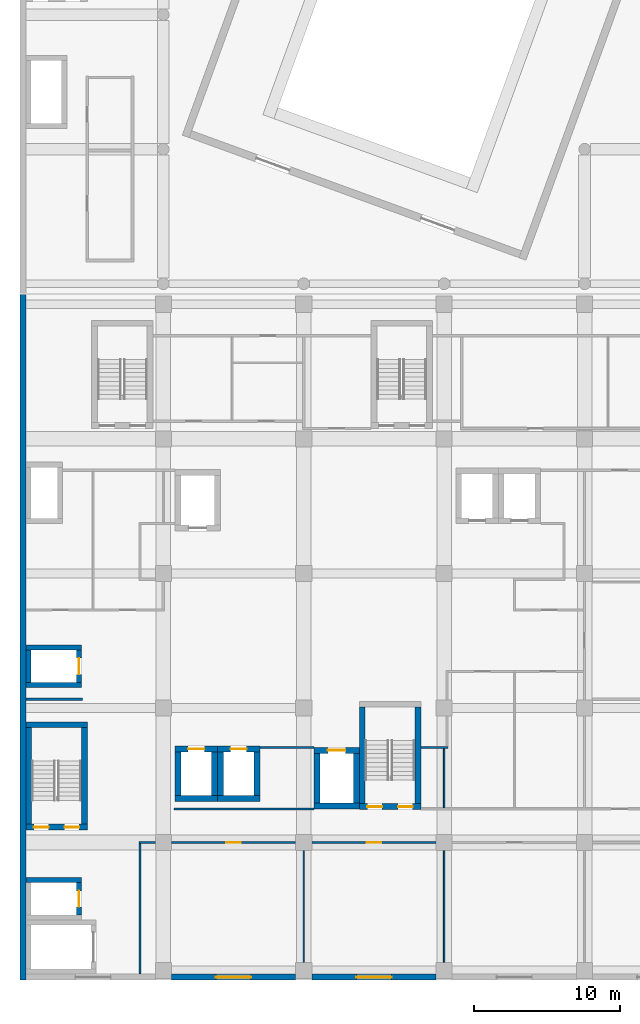
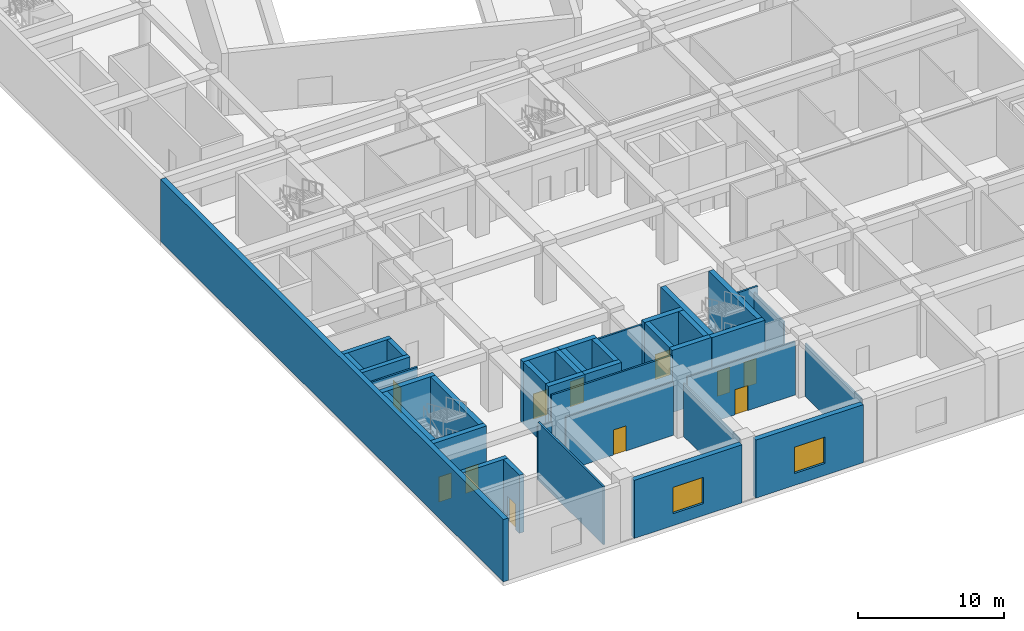
# One storey, part 8 of 31: 39 walls, 11 doors, 2 windows, 13 openings.
"""IFC4 building model written with IfcOpenShell, lengths in metres."""

from ifc_helpers import new_model, si_unit, direction, frame, frame_2d, origin, place, context, subcontext, project, spatial, rectangle, extrude, material, layer, layer_set, layer_usage, type_object, element, fill, save


model = new_model("IFC4")

# Units and contexts
model_context = context("Model", 3, precision=1e-05, world=origin(), true_north=direction((0.0, 1.0)))
body_context = subcontext(model_context, "Body", "Model", "MODEL_VIEW")
ifc_project = project(units=[si_unit("LENGTHUNIT", "METRE"), si_unit("AREAUNIT", "SQUARE_METRE"), si_unit("VOLUMEUNIT", "CUBIC_METRE"), si_unit("PLANEANGLEUNIT", "RADIAN"), si_unit("MASSUNIT", "GRAM", prefix="KILO")], contexts=[model_context])

# Site, building, storey
site_placement = place(None, origin())
site = spatial("IfcSite", under=ifc_project, at=site_placement, CompositionType="ELEMENT")
building_placement = place(site_placement, origin())
building = spatial("IfcBuilding", under=site, at=building_placement, Name="Nzadi Deep Aquarium and Research Tower", CompositionType="ELEMENT")
storey_placement = place(building_placement, frame((0.0, 0.0, 26.699951171875)))
storey = spatial("IfcBuildingStorey", under=building, at=storey_placement, Name="L04", CompositionType="ELEMENT", Elevation=26.699951171875)

# Walls
ifc_material_1 = material(Name="Blockwork masonry", Category="masonry")
ifc_layer_1 = layer(ifc_material_1, 0.10009765625)
ifc_layer_set_1 = layer_set([ifc_layer_1], Name="Blockwork masonry")
wall_type_1 = type_object("IfcWallType", Name="Partition 100 EI 30, 4.45 m high", PredefinedType="PARTITIONING", material=ifc_layer_set_1)
for number, where, z_axis, x_axis, name in (
    (1, (19.199951171875, 1.0, 0.0), (0.0, 0.0, 1.0), (0.0, 1.0, 0.0), "W-Z1-L04-P021"),
    (2, (28.800048828125, 1.0, 0.0), (0.0, 0.0, 1.0), (0.0, 1.0, 0.0), "W-Z1-L04-P027"),
):
    element("IfcWall", number, at=place(storey_placement, frame(where, z_axis=z_axis, x_axis=x_axis)), inside=storey, type_object=wall_type_1, Name=name, PredefinedType="PARTITIONING", context=body_context, shape_type="SweptSolid", body=[
        extrude(rectangle(XDim=7.64990234375, YDim=0.10009765625, at=frame_2d((3.824951171875, 0.0))), origin(), (0.0, 0.0, 1.0), 4.449951171875),
    ])
wall_1_placement = place(storey_placement, frame((28.800048828125, 11.574951171875, 0.0), z_axis=(0.0, 0.0, 1.0), x_axis=(0.0, 1.0, 0.0)))
element("IfcWall", 3, at=wall_1_placement, inside=storey, type_object=wall_type_1, Name="W-Z1-L04-P028", PredefinedType="PARTITIONING", context=body_context, shape_type="SweptSolid", body=[
    extrude(rectangle(XDim=4.050048828125, YDim=0.10009765625, at=frame_2d((2.02490234375, 0.0))), origin(), (0.0, 0.0, 1.0), 4.449951171875),
])
ifc_material_2 = material(Name="Blockwork masonry", Category="masonry")
ifc_layer_2 = layer(ifc_material_2, 0.14990234375)
ifc_layer_set_2 = layer_set([ifc_layer_2], Name="Blockwork masonry")
wall_type_2 = type_object("IfcWallType", Name="Partition 150 EI 60", PredefinedType="PARTITIONING", material=ifc_layer_set_2)
wall_2_placement = place(storey_placement, frame((0.2060546875, 19.0, 0.0), z_axis=(0.0, 0.0, 1.0), x_axis=(1.0, 0.0, 0.0)))
element("IfcWall", 4, at=wall_2_placement, inside=storey, type_object=wall_type_2, Name="W-Z1-L04-P001", PredefinedType="PARTITIONING", context=body_context, shape_type="SweptSolid", body=[
    extrude(rectangle(XDim=3.868896484375, YDim=0.14990234375, at=frame_2d((1.9345703125, 0.0))), origin(), (0.0, 0.0, 1.0), 4.85009765625),
])
wall_3_placement = place(storey_placement, frame((8.0, 0.2060546875, 0.0), z_axis=(0.0, 0.0, 1.0), x_axis=(0.0, 1.0, 0.0)))
element("IfcWall", 5, at=wall_3_placement, inside=storey, type_object=wall_type_2, Name="W-Z1-L04-P005", PredefinedType="PARTITIONING", context=body_context, shape_type="SweptSolid", body=[
    extrude(rectangle(XDim=8.9189453125, YDim=0.14990234375, at=frame_2d((4.45947265625, 0.0))), origin(), (0.0, 0.0, 1.0), 4.85009765625),
])
wall_4_placement = place(storey_placement, frame((10.324951171875, 11.5, 0.0), z_axis=(0.0, 0.0, 1.0), x_axis=(1.0, 0.0, 0.0)))
element("IfcWall", 6, at=wall_4_placement, inside=storey, type_object=wall_type_2, Name="W-Z1-L04-P015", PredefinedType="PARTITIONING", context=body_context, shape_type="SweptSolid", body=[
    extrude(rectangle(XDim=9.569091796875, YDim=0.14990234375, at=frame_2d((4.78466796875, 0.0))), origin(), (0.0, 0.0, 1.0), 4.85009765625),
])
wall_5_placement = place(storey_placement, frame((16.2060546875, 15.699951171875, 0.0), z_axis=(0.0, 0.0, 1.0), x_axis=(1.0, 0.0, 0.0)))
element("IfcWall", 7, at=wall_5_placement, inside=storey, type_object=wall_type_2, Name="W-Z1-L04-P018", PredefinedType="PARTITIONING", context=body_context, shape_type="SweptSolid", body=[
    extrude(rectangle(XDim=3.68798828125, YDim=0.14990234375, at=frame_2d((1.843994140625, 0.0))), origin(), (0.0, 0.0, 1.0), 4.85009765625),
])
wall_6_placement = place(storey_placement, frame((27.2060546875, 15.699951171875, 0.0), z_axis=(0.0, 0.0, 1.0), x_axis=(1.0, 0.0, 0.0)))
element("IfcWall", 8, at=wall_6_placement, inside=storey, type_object=wall_type_2, Name="W-Z1-L04-P024", PredefinedType="PARTITIONING", context=body_context, shape_type="SweptSolid", body=[
    extrude(rectangle(XDim=1.868896484375, YDim=0.14990234375, at=frame_2d((0.9345703125, 0.0))), origin(), (0.0, 0.0, 1.0), 4.85009765625),
])
ifc_material_3 = material(Name="Blockwork masonry", Category="masonry")
ifc_layer_3 = layer(ifc_material_3, 0.14990234375)
ifc_layer_set_3 = layer_set([ifc_layer_3], Name="Blockwork masonry")
wall_type_3 = type_object("IfcWallType", Name="Partition 150 EI 60, 4.45 m high", PredefinedType="PARTITIONING", material=ifc_layer_set_3)
wall_7_placement = place(storey_placement, frame((7.925048828125, 9.199951171875, 0.0), z_axis=(0.0, 0.0, 1.0), x_axis=(1.0, 0.0, 0.0)))
element("IfcWall", 9, at=wall_7_placement, inside=storey, type_object=wall_type_3, Name="W-Z1-L04-P006", PredefinedType="PARTITIONING", context=body_context, shape_type="SweptSolid", body=[
    extrude(rectangle(XDim=1.125, YDim=0.14990234375, at=frame_2d((0.5625, 0.0))), origin(), (0.0, 0.0, 1.0), 4.449951171875),
])

# Wall, opening, door
wall_8_placement = place(storey_placement, frame((10.14990234375, 9.199951171875, 0.0), z_axis=(0.0, 0.0, 1.0), x_axis=(1.0, 0.0, 0.0)))
wall_8 = element("IfcWall", 10, at=wall_8_placement, inside=storey, type_object=wall_type_3, Name="W-Z1-L04-P014", PredefinedType="PARTITIONING", context=body_context, shape_type="SweptSolid", body=[
    extrude(rectangle(XDim=8.5, YDim=0.14990234375, at=frame_2d((4.25, 0.0))), origin(), (0.0, 0.0, 1.0), 4.449951171875),
])
opening_1_placement = place(wall_8_placement, frame((3.75, 0.0, 0.0)))
opening_1 = element("IfcOpeningElement", 11, at=opening_1_placement, cuts=wall_8, Name="Opening D051013", PredefinedType="OPENING", context=body_context, shape_type="SweptSolid", body=[
    extrude(rectangle(XDim=1.0, YDim=2.10009765625, at=frame_2d((0.5, 1.050048828125))), frame((0.0, 0.0849609375, 0.0), z_axis=(0.0, -1.0, 0.0), x_axis=(1.0, 0.0, 0.0)), (0.0, 0.0, 1.0), 0.169921875),
])
ifc_material_4 = material(Name="Fire-rated steel door", Category="steel")
ifc_layer_4 = layer(ifc_material_4, 0.050048828125)
ifc_layer_set_4 = layer_set([ifc_layer_4], Name="Fire-rated steel door")
door_type_1 = type_object("IfcDoorType", Name="Door 1000x2100 EI 60 single", OperationType="SINGLE_SWING_LEFT", PredefinedType="DOOR", material=ifc_layer_set_4)
door_1_placement = place(opening_1_placement, origin())
door_1 = element("IfcDoor", 12, at=door_1_placement, inside=storey, type_object=door_type_1, Name="D051013", OperationType="SINGLE_SWING_RIGHT", OverallHeight=2.10009765625, OverallWidth=1.0, PredefinedType="DOOR", context=body_context, shape_type="SweptSolid", body=[
    extrude(rectangle(XDim=1.0, YDim=2.10009765625, at=frame_2d((0.5, 1.050048828125))), frame((0.0, 0.02490234375, 0.0), z_axis=(0.0, -1.0, 0.0), x_axis=(1.0, 0.0, 0.0)), (0.0, 0.0, 1.0), 0.050048828125),
])
fill(opening_1, door_1)

wall_9_placement = place(storey_placement, frame((19.75, 9.199951171875, 0.0), z_axis=(0.0, 0.0, 1.0), x_axis=(1.0, 0.0, 0.0)))
wall_9 = element("IfcWall", 13, at=wall_9_placement, inside=storey, type_object=wall_type_3, Name="W-Z1-L04-P022", PredefinedType="PARTITIONING", context=body_context, shape_type="SweptSolid", body=[
    extrude(rectangle(XDim=8.5, YDim=0.14990234375, at=frame_2d((4.25, 0.0))), origin(), (0.0, 0.0, 1.0), 4.449951171875),
])
opening_2_placement = place(wall_9_placement, frame((3.75, 0.0, 0.0)))
opening_2 = element("IfcOpeningElement", 14, at=opening_2_placement, cuts=wall_9, Name="Opening D051014", PredefinedType="OPENING", context=body_context, shape_type="SweptSolid", body=[
    extrude(rectangle(XDim=1.0, YDim=2.10009765625, at=frame_2d((0.5, 1.050048828125))), frame((0.0, 0.0849609375, 0.0), z_axis=(0.0, -1.0, 0.0), x_axis=(1.0, 0.0, 0.0)), (0.0, 0.0, 1.0), 0.169921875),
])
door_2_placement = place(opening_2_placement, origin())
door_2 = element("IfcDoor", 15, at=door_2_placement, inside=storey, type_object=door_type_1, Name="D051014", OperationType="SINGLE_SWING_RIGHT", OverallHeight=2.10009765625, OverallWidth=1.0, PredefinedType="DOOR", context=body_context, shape_type="SweptSolid", body=[
    extrude(rectangle(XDim=1.0, YDim=2.10009765625, at=frame_2d((0.5, 1.050048828125))), frame((0.0, 0.02490234375, 0.0), z_axis=(0.0, -1.0, 0.0), x_axis=(1.0, 0.0, 0.0)), (0.0, 0.0, 1.0), 0.050048828125),
])
fill(opening_2, door_2)

# Walls
ifc_material_5 = material(Name="Concrete C35/45", Category="concrete")
ifc_layer_5 = layer(ifc_material_5, 0.35009765625)
ifc_layer_set_5 = layer_set([ifc_layer_5], Name="Concrete C35/45")
wall_type_4 = type_object("IfcWallType", Name="RC core wall 350", PredefinedType="SHEAR", material=ifc_layer_set_5)
for number, where, z_axis, x_axis, name in (
    (16, (0.199951171875, 19.97509765625, 0.0), (0.0, 0.0, 1.0), (1.0, 0.0, 0.0), "W-CORE-PL1-L04-S"),
    (17, (0.199951171875, 22.52490234375, 0.0), (0.0, 0.0, 1.0), (1.0, 0.0, 0.0), "W-CORE-PL1-L04-N"),
):
    element("IfcWall", number, at=place(storey_placement, frame(where, z_axis=z_axis, x_axis=x_axis)), inside=storey, type_object=wall_type_4, Name=name, PredefinedType="SHEAR", context=body_context, shape_type="SweptSolid", body=[
        extrude(rectangle(XDim=3.800048828125, YDim=0.35009765625, at=frame_2d((1.89990234375, 0.0))), origin(), (0.0, 0.0, 1.0), 5.199951171875),
    ])
wall_10_placement = place(storey_placement, frame((0.375, 20.14990234375, 0.0), z_axis=(0.0, 0.0, 1.0), x_axis=(0.0, 1.0, 0.0)))
element("IfcWall", 18, at=wall_10_placement, inside=storey, type_object=wall_type_4, Name="W-CORE-PL1-L04-W", PredefinedType="SHEAR", context=body_context, shape_type="SweptSolid", body=[
    extrude(rectangle(XDim=2.2001953125, YDim=0.35009765625, at=frame_2d((1.10009765625, 0.0))), origin(), (0.0, 0.0, 1.0), 5.199951171875),
])

# Wall, opening, door
wall_11_placement = place(storey_placement, frame((3.824951171875, 20.14990234375, 0.0), z_axis=(0.0, 0.0, 1.0), x_axis=(0.0, 1.0, 0.0)))
wall_11 = element("IfcWall", 19, at=wall_11_placement, inside=storey, type_object=wall_type_4, Name="W-CORE-PL1-L04-E", PredefinedType="SHEAR", context=body_context, shape_type="SweptSolid", body=[
    extrude(rectangle(XDim=2.2001953125, YDim=0.35009765625, at=frame_2d((1.10009765625, 0.0))), origin(), (0.0, 0.0, 1.0), 5.199951171875),
])
opening_3_placement = place(wall_11_placement, frame((0.550048828125, 0.0, 0.0)))
opening_3 = element("IfcOpeningElement", 20, at=opening_3_placement, cuts=wall_11, Name="Opening LD-PL1-L04", PredefinedType="OPENING", context=body_context, shape_type="SweptSolid", body=[
    extrude(rectangle(XDim=1.10009765625, YDim=2.10009765625, at=frame_2d((0.550048828125, 1.050048828125))), frame((0.0, 0.18505859375, 0.0), z_axis=(0.0, -1.0, 0.0), x_axis=(1.0, 0.0, 0.0)), (0.0, 0.0, 1.0), 0.3701171875),
])
ifc_material_6 = material(Name="Stainless steel 1.4301", Category="steel")
door_type_2 = type_object("IfcDoorType", Name="LANDING DOOR 1100x2100", OperationType="DOUBLE_DOOR_SLIDING", PredefinedType="DOOR", material=ifc_material_6)
door_3_placement = place(opening_3_placement, origin())
door_3 = element("IfcDoor", 21, at=door_3_placement, inside=storey, type_object=door_type_2, Name="Landing door PL1 L04", OperationType="DOUBLE_DOOR_SLIDING", OverallHeight=2.10009765625, OverallWidth=1.10009765625, PredefinedType="DOOR", context=body_context, shape_type="SweptSolid", body=[
    extrude(rectangle(XDim=1.10009765625, YDim=2.10009765625, at=frame_2d((0.550048828125, 1.050048828125))), frame((0.0, 0.02490234375, 0.0), z_axis=(0.0, -1.0, 0.0), x_axis=(1.0, 0.0, 0.0)), (0.0, 0.0, 1.0), 0.050048828125),
])
fill(opening_3, door_3)

# Wall
ifc_material_7 = material(Name="Concrete C35/45", Category="concrete")
ifc_layer_6 = layer(ifc_material_7, 0.35009765625)
ifc_layer_set_6 = layer_set([ifc_layer_6], Name="Concrete C35/45")
wall_type_5 = type_object("IfcWallType", Name="RC core wall 350, 4.85 m high", PredefinedType="SHEAR", material=ifc_layer_set_6)
wall_12_placement = place(storey_placement, frame((0.199951171875, 6.625, 0.0), z_axis=(0.0, 0.0, 1.0), x_axis=(1.0, 0.0, 0.0)))
element("IfcWall", 22, at=wall_12_placement, inside=storey, type_object=wall_type_5, Name="W-CORE-EL1-L04-N", PredefinedType="SHEAR", context=body_context, shape_type="SweptSolid", body=[
    extrude(rectangle(XDim=3.800048828125, YDim=0.35009765625, at=frame_2d((1.89990234375, 0.0))), origin(), (0.0, 0.0, 1.0), 4.85009765625),
])

# Wall, opening, door
wall_13_placement = place(storey_placement, frame((3.824951171875, 4.25, 0.0), z_axis=(0.0, 0.0, 1.0), x_axis=(0.0, 1.0, 0.0)))
wall_13 = element("IfcWall", 23, at=wall_13_placement, inside=storey, type_object=wall_type_5, Name="W-CORE-EL1-L04-E", PredefinedType="SHEAR", context=body_context, shape_type="SweptSolid", body=[
    extrude(rectangle(XDim=2.199951171875, YDim=0.35009765625, at=frame_2d((1.10009765625, 0.0))), origin(), (0.0, 0.0, 1.0), 4.85009765625),
])
opening_4_placement = place(wall_13_placement, frame((0.550048828125, 0.0, 0.0)))
opening_4 = element("IfcOpeningElement", 24, at=opening_4_placement, cuts=wall_13, Name="Opening LD-EL1-L04", PredefinedType="OPENING", context=body_context, shape_type="SweptSolid", body=[
    extrude(rectangle(XDim=1.10009765625, YDim=2.10009765625, at=frame_2d((0.550048828125, 1.050048828125))), frame((0.0, 0.18505859375, 0.0), z_axis=(0.0, -1.0, 0.0), x_axis=(1.0, 0.0, 0.0)), (0.0, 0.0, 1.0), 0.3701171875),
])
door_4_placement = place(opening_4_placement, origin())
door_4 = element("IfcDoor", 25, at=door_4_placement, inside=storey, type_object=door_type_2, Name="Landing door EL1 L04", OperationType="DOUBLE_DOOR_SLIDING", OverallHeight=2.10009765625, OverallWidth=1.10009765625, PredefinedType="DOOR", context=body_context, shape_type="SweptSolid", body=[
    extrude(rectangle(XDim=1.10009765625, YDim=2.10009765625, at=frame_2d((0.550048828125, 1.050048828125))), frame((0.0, 0.02490234375, 0.0), z_axis=(0.0, -1.0, 0.0), x_axis=(1.0, 0.0, 0.0)), (0.0, 0.0, 1.0), 0.050048828125),
])
fill(opening_4, door_4)

# Wall, openings, doors
ifc_material_8 = material(Name="Concrete C35/45", Category="concrete")
ifc_layer_7 = layer(ifc_material_8, 0.39990234375)
ifc_layer_set_7 = layer_set([ifc_layer_7], Name="Concrete C35/45")
wall_type_6 = type_object("IfcWallType", Name="RC core wall 400", PredefinedType="SHEAR", material=ifc_layer_set_7)
wall_14_placement = place(storey_placement, frame((0.199951171875, 10.25, 0.0), z_axis=(0.0, 0.0, 1.0), x_axis=(1.0, 0.0, 0.0)))
wall_14 = element("IfcWall", 26, at=wall_14_placement, inside=storey, type_object=wall_type_6, Name="W-CORE-ST-Z1-SW-L04-S", PredefinedType="SHEAR", context=body_context, shape_type="SweptSolid", body=[
    extrude(rectangle(XDim=4.199951171875, YDim=0.39990234375, at=frame_2d((2.10009765625, 0.0))), origin(), (0.0, 0.0, 1.0), 5.199951171875),
])
opening_5_placement = place(wall_14_placement, frame((0.550048828125, 0.0, 0.0)))
opening_5 = element("IfcOpeningElement", 27, at=opening_5_placement, cuts=wall_14, Name="Opening DS-Z1-SW-L04A", PredefinedType="OPENING", context=body_context, shape_type="SweptSolid", body=[
    extrude(rectangle(XDim=1.0, YDim=2.10009765625, at=frame_2d((0.5, 1.050048828125))), frame((0.0, 0.2099609375, 0.0), z_axis=(0.0, -1.0, 0.0), x_axis=(1.0, 0.0, 0.0)), (0.0, 0.0, 1.0), 0.419921875),
])
opening_6_placement = place(wall_14_placement, frame((2.64990234375, 0.0, 0.0)))
opening_6 = element("IfcOpeningElement", 28, at=opening_6_placement, cuts=wall_14, Name="Opening DS-Z1-SW-L04B", PredefinedType="OPENING", context=body_context, shape_type="SweptSolid", body=[
    extrude(rectangle(XDim=1.0, YDim=2.10009765625, at=frame_2d((0.5, 1.050048828125))), frame((0.0, 0.2099609375, 0.0), z_axis=(0.0, -1.0, 0.0), x_axis=(1.0, 0.0, 0.0)), (0.0, 0.0, 1.0), 0.419921875),
])
ifc_material_9 = material(Name="Steel, powder coated", Category="steel")
door_type_3 = type_object("IfcDoorType", Name="STAIR DOOR 1000x2100 EI 60", OperationType="SINGLE_SWING_LEFT", PredefinedType="DOOR", material=ifc_material_9)
door_5_placement = place(opening_5_placement, origin())
door_5 = element("IfcDoor", 29, at=door_5_placement, inside=storey, type_object=door_type_3, Name="Stair door ST-Z1-SW L04 A", OperationType="SINGLE_SWING_RIGHT", OverallHeight=2.10009765625, OverallWidth=1.0, PredefinedType="DOOR", context=body_context, shape_type="SweptSolid", body=[
    extrude(rectangle(XDim=1.0, YDim=2.10009765625, at=frame_2d((0.5, 1.050048828125))), frame((0.0, 0.02490234375, 0.0), z_axis=(0.0, -1.0, 0.0), x_axis=(1.0, 0.0, 0.0)), (0.0, 0.0, 1.0), 0.050048828125),
])
fill(opening_5, door_5)
door_6_placement = place(opening_6_placement, origin())
door_6 = element("IfcDoor", 30, at=door_6_placement, inside=storey, type_object=door_type_3, Name="Stair door ST-Z1-SW L04 B", OperationType="SINGLE_SWING_LEFT", OverallHeight=2.10009765625, OverallWidth=1.0, PredefinedType="DOOR", context=body_context, shape_type="SweptSolid", body=[
    extrude(rectangle(XDim=1.0, YDim=2.10009765625, at=frame_2d((0.5, 1.050048828125))), frame((0.0, 0.02490234375, 0.0), z_axis=(0.0, -1.0, 0.0), x_axis=(1.0, 0.0, 0.0)), (0.0, 0.0, 1.0), 0.050048828125),
])
fill(opening_6, door_6)

# Walls
wall_15_placement = place(storey_placement, frame((0.199951171875, 17.25, 0.0), z_axis=(0.0, 0.0, 1.0), x_axis=(1.0, 0.0, 0.0)))
element("IfcWall", 31, at=wall_15_placement, inside=storey, type_object=wall_type_6, Name="W-CORE-ST-Z1-SW-L04-N", PredefinedType="SHEAR", context=body_context, shape_type="SweptSolid", body=[
    extrude(rectangle(XDim=4.199951171875, YDim=0.39990234375, at=frame_2d((2.10009765625, 0.0))), origin(), (0.0, 0.0, 1.0), 5.199951171875),
])
for number, where, z_axis, x_axis, name in (
    (32, (0.39990234375, 10.449951171875, 0.0), (0.0, 0.0, 1.0), (0.0, 1.0, 0.0), "W-CORE-ST-Z1-SW-L04-W"),
    (33, (4.199951171875, 10.449951171875, 0.0), (0.0, 0.0, 1.0), (0.0, 1.0, 0.0), "W-CORE-ST-Z1-SW-L04-E"),
):
    element("IfcWall", number, at=place(storey_placement, frame(where, z_axis=z_axis, x_axis=x_axis)), inside=storey, type_object=wall_type_6, Name=name, PredefinedType="SHEAR", context=body_context, shape_type="SweptSolid", body=[
        extrude(rectangle(XDim=6.60009765625, YDim=0.39990234375, at=frame_2d((3.300048828125, 0.0))), origin(), (0.0, 0.0, 1.0), 5.199951171875),
    ])

# Wall, openings, doors
wall_16_placement = place(storey_placement, frame((23.0, 11.64990234375, 0.0), z_axis=(0.0, 0.0, 1.0), x_axis=(1.0, 0.0, 0.0)))
wall_16 = element("IfcWall", 34, at=wall_16_placement, inside=storey, type_object=wall_type_6, Name="W-CORE-ST-Z1-SE-L04-S", PredefinedType="SHEAR", context=body_context, shape_type="SweptSolid", body=[
    extrude(rectangle(XDim=4.199951171875, YDim=0.39990234375, at=frame_2d((2.10009765625, 0.0))), origin(), (0.0, 0.0, 1.0), 5.199951171875),
])
opening_7_placement = place(wall_16_placement, frame((0.550048828125, 0.0, 0.0)))
opening_7 = element("IfcOpeningElement", 35, at=opening_7_placement, cuts=wall_16, Name="Opening DS-Z1-SE-L04A", PredefinedType="OPENING", context=body_context, shape_type="SweptSolid", body=[
    extrude(rectangle(XDim=1.0, YDim=2.10009765625, at=frame_2d((0.5, 1.050048828125))), frame((0.0, 0.2099609375, 0.0), z_axis=(0.0, -1.0, 0.0), x_axis=(1.0, 0.0, 0.0)), (0.0, 0.0, 1.0), 0.419921875),
])
opening_8_placement = place(wall_16_placement, frame((2.64990234375, 0.0, 0.0)))
opening_8 = element("IfcOpeningElement", 36, at=opening_8_placement, cuts=wall_16, Name="Opening DS-Z1-SE-L04B", PredefinedType="OPENING", context=body_context, shape_type="SweptSolid", body=[
    extrude(rectangle(XDim=1.0, YDim=2.10009765625, at=frame_2d((0.5, 1.050048828125))), frame((0.0, 0.2099609375, 0.0), z_axis=(0.0, -1.0, 0.0), x_axis=(1.0, 0.0, 0.0)), (0.0, 0.0, 1.0), 0.419921875),
])
door_7_placement = place(opening_7_placement, origin())
door_7 = element("IfcDoor", 37, at=door_7_placement, inside=storey, type_object=door_type_3, Name="Stair door ST-Z1-SE L04 A", OperationType="SINGLE_SWING_RIGHT", OverallHeight=2.10009765625, OverallWidth=1.0, PredefinedType="DOOR", context=body_context, shape_type="SweptSolid", body=[
    extrude(rectangle(XDim=1.0, YDim=2.10009765625, at=frame_2d((0.5, 1.050048828125))), frame((0.0, 0.02490234375, 0.0), z_axis=(0.0, -1.0, 0.0), x_axis=(1.0, 0.0, 0.0)), (0.0, 0.0, 1.0), 0.050048828125),
])
fill(opening_7, door_7)
door_8_placement = place(opening_8_placement, origin())
door_8 = element("IfcDoor", 38, at=door_8_placement, inside=storey, type_object=door_type_3, Name="Stair door ST-Z1-SE L04 B", OperationType="SINGLE_SWING_LEFT", OverallHeight=2.10009765625, OverallWidth=1.0, PredefinedType="DOOR", context=body_context, shape_type="SweptSolid", body=[
    extrude(rectangle(XDim=1.0, YDim=2.10009765625, at=frame_2d((0.5, 1.050048828125))), frame((0.0, 0.02490234375, 0.0), z_axis=(0.0, -1.0, 0.0), x_axis=(1.0, 0.0, 0.0)), (0.0, 0.0, 1.0), 0.050048828125),
])
fill(opening_8, door_8)

# Walls
for number, where, z_axis, x_axis, name in (
    (39, (23.199951171875, 11.85009765625, 0.0), (0.0, 0.0, 1.0), (0.0, 1.0, 0.0), "W-CORE-ST-Z1-SE-L04-W"),
    (40, (27.0, 11.85009765625, 0.0), (0.0, 0.0, 1.0), (0.0, 1.0, 0.0), "W-CORE-ST-Z1-SE-L04-E"),
):
    element("IfcWall", number, at=place(storey_placement, frame(where, z_axis=z_axis, x_axis=x_axis)), inside=storey, type_object=wall_type_6, Name=name, PredefinedType="SHEAR", context=body_context, shape_type="SweptSolid", body=[
        extrude(rectangle(XDim=6.599853515625, YDim=0.39990234375, at=frame_2d((3.2998046875, 0.0))), origin(), (0.0, 0.0, 1.0), 5.199951171875),
    ])
wall_17_placement = place(storey_placement, frame((10.39990234375, 12.199951171875, 0.0), z_axis=(0.0, 0.0, 1.0), x_axis=(1.0, 0.0, 0.0)))
element("IfcWall", 41, at=wall_17_placement, inside=storey, type_object=wall_type_6, Name="W-CORE-TL1-L04-S", PredefinedType="SHEAR", context=body_context, shape_type="SweptSolid", body=[
    extrude(rectangle(XDim=2.900146484375, YDim=0.39990234375, at=frame_2d((1.4501953125, 0.0))), origin(), (0.0, 0.0, 1.0), 5.199951171875),
])

# Wall, opening, door
wall_18_placement = place(storey_placement, frame((10.39990234375, 15.60009765625, 0.0), z_axis=(0.0, 0.0, 1.0), x_axis=(1.0, 0.0, 0.0)))
wall_18 = element("IfcWall", 42, at=wall_18_placement, inside=storey, type_object=wall_type_6, Name="W-CORE-TL1-L04-N", PredefinedType="SHEAR", context=body_context, shape_type="SweptSolid", body=[
    extrude(rectangle(XDim=2.900146484375, YDim=0.39990234375, at=frame_2d((1.4501953125, 0.0))), origin(), (0.0, 0.0, 1.0), 5.199951171875),
])
opening_9_placement = place(wall_18_placement, frame((0.89990234375, 0.0, 0.0)))
opening_9 = element("IfcOpeningElement", 43, at=opening_9_placement, cuts=wall_18, Name="Opening LD-TL1-L04", PredefinedType="OPENING", context=body_context, shape_type="SweptSolid", body=[
    extrude(rectangle(XDim=1.10009765625, YDim=2.10009765625, at=frame_2d((0.550048828125, 1.050048828125))), frame((0.0, 0.2099609375, 0.0), z_axis=(0.0, -1.0, 0.0), x_axis=(1.0, 0.0, 0.0)), (0.0, 0.0, 1.0), 0.419921875),
])
door_9_placement = place(opening_9_placement, origin())
door_9 = element("IfcDoor", 44, at=door_9_placement, inside=storey, type_object=door_type_2, Name="Landing door TL1 L04", OperationType="DOUBLE_DOOR_SLIDING", OverallHeight=2.10009765625, OverallWidth=1.10009765625, PredefinedType="DOOR", context=body_context, shape_type="SweptSolid", body=[
    extrude(rectangle(XDim=1.10009765625, YDim=2.10009765625, at=frame_2d((0.550048828125, 1.050048828125))), frame((0.0, 0.02490234375, 0.0), z_axis=(0.0, -1.0, 0.0), x_axis=(1.0, 0.0, 0.0)), (0.0, 0.0, 1.0), 0.050048828125),
])
fill(opening_9, door_9)

# Walls
for number, where, z_axis, x_axis, name in (
    (45, (10.60009765625, 12.39990234375, 0.0), (0.0, 0.0, 1.0), (0.0, 1.0, 0.0), "W-CORE-TL1-L04-W"),
    (46, (13.10009765625, 12.39990234375, 0.0), (0.0, 0.0, 1.0), (0.0, 1.0, 0.0), "W-CORE-TL1-L04-E"),
):
    element("IfcWall", number, at=place(storey_placement, frame(where, z_axis=z_axis, x_axis=x_axis)), inside=storey, type_object=wall_type_6, Name=name, PredefinedType="SHEAR", context=body_context, shape_type="SweptSolid", body=[
        extrude(rectangle(XDim=3.0, YDim=0.39990234375, at=frame_2d((1.5, 0.0))), origin(), (0.0, 0.0, 1.0), 5.199951171875),
    ])
wall_19_placement = place(storey_placement, frame((13.300048828125, 12.199951171875, 0.0), z_axis=(0.0, 0.0, 1.0), x_axis=(1.0, 0.0, 0.0)))
element("IfcWall", 47, at=wall_19_placement, inside=storey, type_object=wall_type_6, Name="W-CORE-TL2-L04-S", PredefinedType="SHEAR", context=body_context, shape_type="SweptSolid", body=[
    extrude(rectangle(XDim=2.89990234375, YDim=0.39990234375, at=frame_2d((1.449951171875, 0.0))), origin(), (0.0, 0.0, 1.0), 5.199951171875),
])

# Wall, opening, door
wall_20_placement = place(storey_placement, frame((13.300048828125, 15.60009765625, 0.0), z_axis=(0.0, 0.0, 1.0), x_axis=(1.0, 0.0, 0.0)))
wall_20 = element("IfcWall", 48, at=wall_20_placement, inside=storey, type_object=wall_type_6, Name="W-CORE-TL2-L04-N", PredefinedType="SHEAR", context=body_context, shape_type="SweptSolid", body=[
    extrude(rectangle(XDim=2.89990234375, YDim=0.39990234375, at=frame_2d((1.449951171875, 0.0))), origin(), (0.0, 0.0, 1.0), 5.199951171875),
])
opening_10_placement = place(wall_20_placement, frame((0.89990234375, 0.0, 0.0)))
opening_10 = element("IfcOpeningElement", 49, at=opening_10_placement, cuts=wall_20, Name="Opening LD-TL2-L04", PredefinedType="OPENING", context=body_context, shape_type="SweptSolid", body=[
    extrude(rectangle(XDim=1.10009765625, YDim=2.10009765625, at=frame_2d((0.550048828125, 1.050048828125))), frame((0.0, 0.2099609375, 0.0), z_axis=(0.0, -1.0, 0.0), x_axis=(1.0, 0.0, 0.0)), (0.0, 0.0, 1.0), 0.419921875),
])
door_10_placement = place(opening_10_placement, origin())
door_10 = element("IfcDoor", 50, at=door_10_placement, inside=storey, type_object=door_type_2, Name="Landing door TL2 L04", OperationType="DOUBLE_DOOR_SLIDING", OverallHeight=2.10009765625, OverallWidth=1.10009765625, PredefinedType="DOOR", context=body_context, shape_type="SweptSolid", body=[
    extrude(rectangle(XDim=1.10009765625, YDim=2.10009765625, at=frame_2d((0.550048828125, 1.050048828125))), frame((0.0, 0.02490234375, 0.0), z_axis=(0.0, -1.0, 0.0), x_axis=(1.0, 0.0, 0.0)), (0.0, 0.0, 1.0), 0.050048828125),
])
fill(opening_10, door_10)

# Walls
for number, where, z_axis, x_axis, name in (
    (51, (13.5, 12.39990234375, 0.0), (0.0, 0.0, 1.0), (0.0, 1.0, 0.0), "W-CORE-TL2-L04-W"),
    (52, (16.0, 12.39990234375, 0.0), (0.0, 0.0, 1.0), (0.0, 1.0, 0.0), "W-CORE-TL2-L04-E"),
):
    element("IfcWall", number, at=place(storey_placement, frame(where, z_axis=z_axis, x_axis=x_axis)), inside=storey, type_object=wall_type_6, Name=name, PredefinedType="SHEAR", context=body_context, shape_type="SweptSolid", body=[
        extrude(rectangle(XDim=3.0, YDim=0.39990234375, at=frame_2d((1.5, 0.0))), origin(), (0.0, 0.0, 1.0), 5.199951171875),
    ])
wall_21_placement = place(storey_placement, frame((19.89990234375, 11.699951171875, 0.0), z_axis=(0.0, 0.0, 1.0), x_axis=(1.0, 0.0, 0.0)))
element("IfcWall", 53, at=wall_21_placement, inside=storey, type_object=wall_type_6, Name="W-CORE-FL1-L04-S", PredefinedType="SHEAR", context=body_context, shape_type="SweptSolid", body=[
    extrude(rectangle(XDim=3.10009765625, YDim=0.39990234375, at=frame_2d((1.550048828125, 0.0))), origin(), (0.0, 0.0, 1.0), 5.199951171875),
])

# Wall, opening, door
wall_22_placement = place(storey_placement, frame((19.89990234375, 15.5, 0.0), z_axis=(0.0, 0.0, 1.0), x_axis=(1.0, 0.0, 0.0)))
wall_22 = element("IfcWall", 54, at=wall_22_placement, inside=storey, type_object=wall_type_6, Name="W-CORE-FL1-L04-N", PredefinedType="SHEAR", context=body_context, shape_type="SweptSolid", body=[
    extrude(rectangle(XDim=3.10009765625, YDim=0.39990234375, at=frame_2d((1.550048828125, 0.0))), origin(), (0.0, 0.0, 1.0), 5.199951171875),
])
opening_11_placement = place(wall_22_placement, frame((0.949951171875, 0.0, 0.0)))
opening_11 = element("IfcOpeningElement", 55, at=opening_11_placement, cuts=wall_22, Name="Opening LD-FL1-L04", PredefinedType="OPENING", context=body_context, shape_type="SweptSolid", body=[
    extrude(rectangle(XDim=1.199951171875, YDim=2.10009765625, at=frame_2d((0.60009765625, 1.050048828125))), frame((0.0, 0.2099609375, 0.0), z_axis=(0.0, -1.0, 0.0), x_axis=(1.0, 0.0, 0.0)), (0.0, 0.0, 1.0), 0.419921875),
])
ifc_material_10 = material(Name="Stainless steel 1.4301", Category="steel")
door_type_4 = type_object("IfcDoorType", Name="LANDING DOOR 1200x2100", OperationType="DOUBLE_DOOR_SLIDING", PredefinedType="DOOR", material=ifc_material_10)
door_11_placement = place(opening_11_placement, origin())
door_11 = element("IfcDoor", 56, at=door_11_placement, inside=storey, type_object=door_type_4, Name="Landing door FL1 L04", OperationType="DOUBLE_DOOR_SLIDING", OverallHeight=2.10009765625, OverallWidth=1.199951171875, PredefinedType="DOOR", context=body_context, shape_type="SweptSolid", body=[
    extrude(rectangle(XDim=1.199951171875, YDim=2.10009765625, at=frame_2d((0.60009765625, 1.050048828125))), frame((0.0, 0.02490234375, 0.0), z_axis=(0.0, -1.0, 0.0), x_axis=(1.0, 0.0, 0.0)), (0.0, 0.0, 1.0), 0.050048828125),
])
fill(opening_11, door_11)

# Walls
for number, where, z_axis, x_axis, name in (
    (57, (20.10009765625, 11.89990234375, 0.0), (0.0, 0.0, 1.0), (0.0, 1.0, 0.0), "W-CORE-FL1-L04-W"),
    (58, (22.800048828125, 11.89990234375, 0.0), (0.0, 0.0, 1.0), (0.0, 1.0, 0.0), "W-CORE-FL1-L04-E"),
):
    element("IfcWall", number, at=place(storey_placement, frame(where, z_axis=z_axis, x_axis=x_axis)), inside=storey, type_object=wall_type_6, Name=name, PredefinedType="SHEAR", context=body_context, shape_type="SweptSolid", body=[
        extrude(rectangle(XDim=3.400146484375, YDim=0.39990234375, at=frame_2d((1.7001953125, 0.0))), origin(), (0.0, 0.0, 1.0), 5.199951171875),
    ])
ifc_material_11 = material(Name="Concrete C35/45", Category="concrete")
ifc_layer_8 = layer(ifc_material_11, 0.39990234375)
ifc_layer_set_8 = layer_set([ifc_layer_8], Name="Concrete C35/45")
wall_type_7 = type_object("IfcWallType", Name="RC party wall 400", PredefinedType="SHEAR", material=ifc_layer_set_8)
wall_23_placement = place(storey_placement, frame((0.00048828125, -0.199951171875, 0.0), z_axis=(0.0, 0.0, 1.0), x_axis=(0.0, 1.0, 0.0)))
element("IfcWall", 59, at=wall_23_placement, inside=storey, type_object=wall_type_7, Name="W-PTY-Z1-L04-W", PredefinedType="SHEAR", context=body_context, shape_type="SweptSolid", body=[
    extrude(rectangle(XDim=46.8798828125, YDim=0.39990234375, at=frame_2d((23.43994140625, 0.0))), origin(), (0.0, 0.0, 1.0), 5.199951171875),
])

# Wall, opening, window
ifc_material_12 = material(Name="Concrete C35/45", Category="concrete")
ifc_layer_9 = layer(ifc_material_12, 0.25, Category="cladding")
ifc_material_13 = material(Name="Mineral wool insulation")
ifc_layer_10 = layer(ifc_material_13, 0.10009765625, Category="insulation")
ifc_material_14 = material(Name="Concrete block lining", Category="concrete")
ifc_layer_11 = layer(ifc_material_14, 0.050048828125, Category="lining")
ifc_layer_set_9 = layer_set([ifc_layer_9, ifc_layer_10, ifc_layer_11], Name="Concrete C35/45, Mineral wool insulation, Concrete block lining")
ifc_layer_usage_1 = layer_usage(ifc_layer_set_9, "AXIS2", "POSITIVE", -0.199951171875)
wall_type_8 = type_object("IfcWallType", Name="South end wall board-formed concrete 400", PredefinedType="ELEMENTEDWALL", material=ifc_layer_set_9)
wall_24_placement = place(storey_placement, frame((10.14990234375, 0.0, 0.0), z_axis=(0.0, 0.0, 1.0), x_axis=(1.0, 0.0, 0.0)))
wall_24 = element("IfcWall", 60, at=wall_24_placement, inside=storey, type_object=wall_type_8, material=ifc_layer_usage_1, Name="South end wall L04", PredefinedType="ELEMENTEDWALL", context=body_context, shape_type="SweptSolid", body=[
    extrude(rectangle(XDim=8.5, YDim=0.39990234375, at=frame_2d((4.25, 0.0))), origin(), (0.0, 0.0, 1.0), 4.85009765625),
])
opening_12_placement = place(wall_24_placement, frame((3.050048828125, 0.0, 1.0)))
opening_12 = element("IfcOpeningElement", 61, at=opening_12_placement, cuts=wall_24, Name="Opening WN09", PredefinedType="OPENING", context=body_context, shape_type="SweptSolid", body=[
    extrude(rectangle(XDim=2.39990234375, YDim=2.199951171875, at=frame_2d((1.199951171875, 1.10009765625))), frame((0.0, 0.2099609375, 0.0), z_axis=(0.0, -1.0, 0.0), x_axis=(1.0, 0.0, 0.0)), (0.0, 0.0, 1.0), 0.419921875),
])
ifc_material_15 = material(Name="Aluminium framed glazing", Category="aluminium")
window_type = type_object("IfcWindowType", Name="Punched window 2400x2200 sill 1000", PartitioningType="SINGLE_PANEL", PredefinedType="WINDOW", material=ifc_material_15)
window_1_placement = place(opening_12_placement, origin())
window_1 = element("IfcWindow", 62, at=window_1_placement, inside=storey, type_object=window_type, Name="Podium south face window L04", OverallHeight=2.199951171875, OverallWidth=2.39990234375, PartitioningType="SINGLE_PANEL", PredefinedType="WINDOW", context=body_context, shape_type="SweptSolid", body=[
    extrude(rectangle(XDim=2.39990234375, YDim=2.199951171875, at=frame_2d((1.199951171875, 1.10009765625))), frame((0.0, 0.030029296875, 0.0), z_axis=(0.0, -1.0, 0.0), x_axis=(1.0, 0.0, 0.0)), (0.0, 0.0, 1.0), 0.06005859375),
])
fill(opening_12, window_1)

ifc_layer_usage_2 = layer_usage(ifc_layer_set_9, "AXIS2", "POSITIVE", -0.199951171875)
wall_25_placement = place(storey_placement, frame((19.75, 0.0, 0.0), z_axis=(0.0, 0.0, 1.0), x_axis=(1.0, 0.0, 0.0)))
wall_25 = element("IfcWall", 63, at=wall_25_placement, inside=storey, type_object=wall_type_8, material=ifc_layer_usage_2, Name="South end wall L04", PredefinedType="ELEMENTEDWALL", context=body_context, shape_type="SweptSolid", body=[
    extrude(rectangle(XDim=8.5, YDim=0.39990234375, at=frame_2d((4.25, 0.0))), origin(), (0.0, 0.0, 1.0), 4.85009765625),
])
opening_13_placement = place(wall_25_placement, frame((3.050048828125, 0.0, 1.0)))
opening_13 = element("IfcOpeningElement", 64, at=opening_13_placement, cuts=wall_25, Name="Opening WN09", PredefinedType="OPENING", context=body_context, shape_type="SweptSolid", body=[
    extrude(rectangle(XDim=2.39990234375, YDim=2.199951171875, at=frame_2d((1.199951171875, 1.10009765625))), frame((0.0, 0.2099609375, 0.0), z_axis=(0.0, -1.0, 0.0), x_axis=(1.0, 0.0, 0.0)), (0.0, 0.0, 1.0), 0.419921875),
])
window_2_placement = place(opening_13_placement, origin())
window_2 = element("IfcWindow", 65, at=window_2_placement, inside=storey, type_object=window_type, Name="Podium south face window L04", OverallHeight=2.199951171875, OverallWidth=2.39990234375, PartitioningType="SINGLE_PANEL", PredefinedType="WINDOW", context=body_context, shape_type="SweptSolid", body=[
    extrude(rectangle(XDim=2.39990234375, YDim=2.199951171875, at=frame_2d((1.199951171875, 1.10009765625))), frame((0.0, 0.030029296875, 0.0), z_axis=(0.0, -1.0, 0.0), x_axis=(1.0, 0.0, 0.0)), (0.0, 0.0, 1.0), 0.06005859375),
])
fill(opening_13, window_2)

save(model, "model.ifc")
